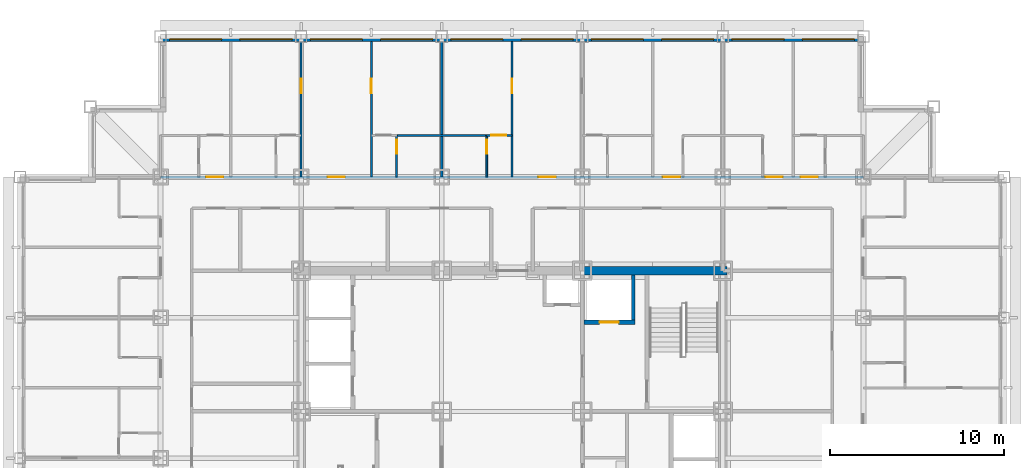
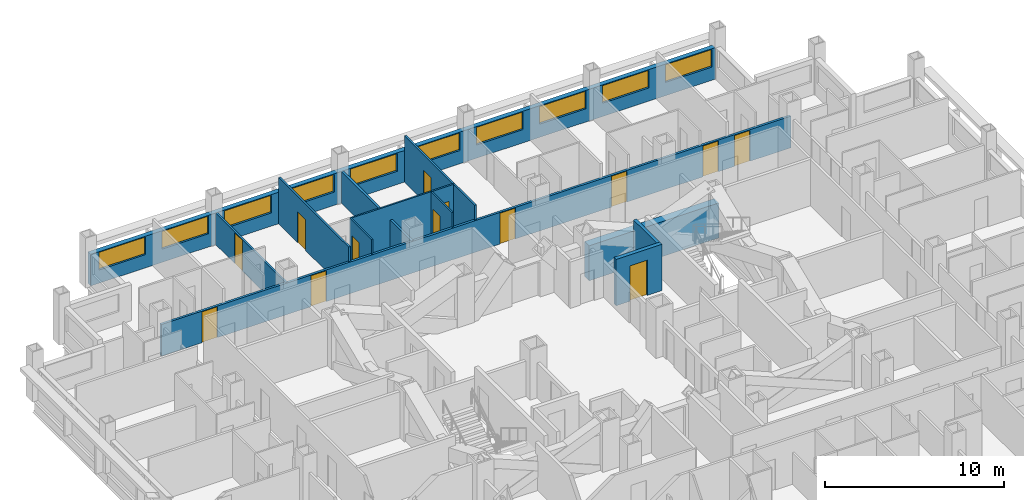
# One storey, part 11 of 15: 13 doors, 13 walls, 10 windows, 23 openings.
"""IFC4 building model written with IfcOpenShell, lengths in metres."""

import ifcopenshell
import ifcopenshell.guid

model = None  # the IFC model being written
_history = None  # IfcOwnerHistory: only IFC2X3 demands one
_inside = {}  # id of a spatial element -> (the spatial element, [elements in it])
_under = {}  # id of a project, library or spatial element -> (it, [spatial elements below it])
_declared = {}  # id of a project -> (the project, [libraries it declares])
_typed = {}  # id of a type object -> (the type object, [elements of that type])
_made_of = {}  # id of a material, layer set ... -> (it, [elements and type objects made of it])


def new_model(schema):
    """Start an empty IFC model of exactly this schema.

    Asked for "IFC4X3", IfcOpenShell would pick the latest addendum, in which some entities
    have other attributes; the version numbers below select the first issue.
    IFC2X3 requires an IfcOwnerHistory on every rooted entity: one is made here for all.
    """
    global model, _history
    if schema == "IFC4X3":
        model = ifcopenshell.file(schema_version=(4, 3, 0, 0))
    else:
        model = ifcopenshell.file(schema=schema)
    _inside.clear()
    _under.clear()
    _declared.clear()
    _typed.clear()
    _made_of.clear()
    _history = None
    if model.schema == "IFC2X3":
        org = make("IfcOrganization", Name="unknown")
        user = make(
            "IfcPersonAndOrganization",
            ThePerson=make("IfcPerson", FamilyName="unknown"),
            TheOrganization=org,
        )
        app = make(
            "IfcApplication",
            ApplicationDeveloper=org,
            Version="unknown",
            ApplicationFullName="unknown",
            ApplicationIdentifier="unknown",
        )
        _history = make(
            "IfcOwnerHistory",
            OwningUser=user,
            OwningApplication=app,
            ChangeAction="ADDED",
            CreationDate=0,
        )
    return model


def make(cls, **values):
    """One entity of the class cls with the attributes given. An attribute that is None is left unset."""
    return model.create_entity(
        cls, **{name: value for name, value in values.items() if value is not None}
    )


def rooted(cls, **values):
    """An entity with a GlobalId (a new one), such as an element, a storey or a relation."""
    return make(cls, GlobalId=ifcopenshell.guid.new(), OwnerHistory=_history, **values)


def si_unit(unit_type, name, prefix=None):
    """IfcSIUnit, for example si_unit("LENGTHUNIT", "METRE", prefix="MILLI")."""
    return make("IfcSIUnit", UnitType=unit_type, Prefix=prefix, Name=name)


def assignment(units):
    """IfcUnitAssignment: the units of a project."""
    return None if units is None else make("IfcUnitAssignment", Units=units)


def point(xyz):
    """IfcCartesianPoint."""
    return None if xyz is None else make("IfcCartesianPoint", Coordinates=xyz)


def direction(xyz):
    """IfcDirection."""
    return None if xyz is None else make("IfcDirection", DirectionRatios=xyz)


def frame(location, z_axis=None, x_axis=None):
    """IfcAxis2Placement3D, a coordinate frame: its origin and axes. An axis left out is left unset."""
    return make(
        "IfcAxis2Placement3D",
        Location=point(location),
        Axis=direction(z_axis),
        RefDirection=direction(x_axis),
    )


def frame_2d(location, x_axis=None):
    """IfcAxis2Placement2D, a coordinate frame in the plane: its origin and x axis."""
    return make(
        "IfcAxis2Placement2D", Location=point(location), RefDirection=direction(x_axis)
    )


def origin():
    """The frame at (0, 0, 0) with its axes left unset."""
    return frame((0.0, 0.0, 0.0))


def place(relative_to, where):
    """IfcLocalPlacement: puts the frame where relative to a parent placement (None: the world)."""
    return make(
        "IfcLocalPlacement", PlacementRelTo=relative_to, RelativePlacement=where
    )


def context(
    kind, dimensions, precision=None, world=None, true_north=None, identifier=None
):
    """IfcGeometricRepresentationContext, for example the 3D "Model" context."""
    return make(
        "IfcGeometricRepresentationContext",
        ContextIdentifier=identifier,
        ContextType=kind,
        CoordinateSpaceDimension=dimensions,
        Precision=precision,
        WorldCoordinateSystem=world,
        TrueNorth=true_north,
    )


def subcontext(parent, identifier, kind, view, scale=None):
    """IfcGeometricRepresentationSubContext, for example "Body" below "Model"."""
    return make(
        "IfcGeometricRepresentationSubContext",
        ContextIdentifier=identifier,
        ContextType=kind,
        ParentContext=parent,
        TargetScale=scale,
        TargetView=view,
    )


def project(units=None, contexts=None):
    """IfcProject with its units and contexts."""
    return rooted(
        "IfcProject",
        Name="project",
        RepresentationContexts=contexts,
        UnitsInContext=assignment(units),
    )


def spatial(cls, under=None, at=None, **own):
    """A site, building, storey or space (cls), placed at a placement, below another one or the project."""
    s = rooted(cls, ObjectPlacement=at, **own)
    if under is not None:
        _under.setdefault(under.id(), (under, []))[1].append(s)
    return s


def profile(cls, at=None, kind="AREA", **sizes):
    """A parametric profile (cls). Its sizes go by their IFC names, for example OverallWidth=200.0."""
    return make(cls, ProfileType=kind, Position=at, **sizes)


def rectangle(**sizes):
    """IfcRectangleProfileDef."""
    return profile("IfcRectangleProfileDef", **sizes)


def extrude(swept, where, along, depth):
    """IfcExtrudedAreaSolid: the profile swept, set in the frame where, extruded along a direction by depth."""
    return make(
        "IfcExtrudedAreaSolid",
        SweptArea=swept,
        Position=where,
        ExtrudedDirection=direction(along),
        Depth=depth,
    )


def shape(context_of_items, identifier, shape_type, items):
    """IfcShapeRepresentation: the items that make up one representation, for example the "Body"."""
    return make(
        "IfcShapeRepresentation",
        ContextOfItems=context_of_items,
        RepresentationIdentifier=identifier,
        RepresentationType=shape_type,
        Items=items,
    )


def material(Name=None, Category=None):
    """IfcMaterial."""
    return make("IfcMaterial", Name=Name, Category=Category)


def layer(
    of_material, thickness, ventilated=None, Name=None, Category=None, Priority=None
):
    """IfcMaterialLayer: one layer of a wall or slab, of a material (None: an air gap)."""
    return make(
        "IfcMaterialLayer",
        Material=of_material,
        LayerThickness=thickness,
        IsVentilated=ventilated,
        Name=Name,
        Category=Category,
        Priority=Priority,
    )


def layer_set(layers, Name=None):
    """IfcMaterialLayerSet."""
    return make("IfcMaterialLayerSet", MaterialLayers=layers, LayerSetName=Name)


def made_of(thing, what):
    """Note that an element or type object is made of a material, layer set ...; save() writes the relation."""
    if what is not None:
        _made_of.setdefault(what.id(), (what, []))[1].append(thing)
    return thing


def type_object(cls, material=None, **own):
    """A type object (cls), such as IfcWallType, which elements share."""
    return made_of(rooted(cls, **own), material)


def element(
    cls,
    number,
    at=None,
    inside=None,
    cuts=None,
    type_object=None,
    material=None,
    context=None,
    identifier="Body",
    shape_type=None,
    held_by="IfcProductDefinitionShape",
    body=None,
    shapes=None,
    **own,
):
    """One element of the class cls, such as IfcWall. Its Tag is "e" and its number.

    at: its placement. inside: the storey or other place that contains it. cuts: it is an
    opening in that element (IfcRelVoidsElement). A single representation is given by context,
    identifier, shape_type and body (its items); several are given by shapes. held_by: the class
    of the entity that holds the representations. save() writes the other relations.
    """
    e = rooted(cls, Tag="e%d" % number, ObjectPlacement=at, **own)
    if body is not None:
        shapes = [shape(context, identifier, shape_type, body)]
    if shapes is not None:
        e.Representation = make(held_by, Representations=shapes)
    if inside is not None:
        _inside.setdefault(inside.id(), (inside, []))[1].append(e)
    if cuts is not None:
        rooted(
            "IfcRelVoidsElement", RelatingBuildingElement=cuts, RelatedOpeningElement=e
        )
    if type_object is not None:
        _typed.setdefault(type_object.id(), (type_object, []))[1].append(e)
    return made_of(e, material)


def fill(opening, filler):
    """IfcRelFillsElement: the door or window that sits in an opening."""
    return rooted(
        "IfcRelFillsElement",
        RelatingOpeningElement=opening,
        RelatedBuildingElement=filler,
    )


def aggregate(whole, parts):
    """IfcRelAggregates: a whole, such as a stair, and the parts it consists of."""
    return rooted("IfcRelAggregates", RelatingObject=whole, RelatedObjects=parts)


def save(model, path):
    """Write the relations noted so far, then the file.

    IfcRelAggregates (storeys below a building ...), IfcRelContainedInSpatialStructure (elements
    in a storey), IfcRelDefinesByType, IfcRelAssociatesMaterial and IfcRelDeclares: one each for
    every whole, place, type object, material and project.
    """
    for whole, parts in _under.values():
        aggregate(whole, parts)
    for where, things in _inside.values():
        rooted(
            "IfcRelContainedInSpatialStructure",
            RelatedElements=things,
            RelatingStructure=where,
        )
    for kind, things in _typed.values():
        rooted("IfcRelDefinesByType", RelatedObjects=things, RelatingType=kind)
    for what, things in _made_of.values():
        rooted("IfcRelAssociatesMaterial", RelatedObjects=things, RelatingMaterial=what)
    for by, libraries in _declared.values():
        rooted("IfcRelDeclares", RelatingContext=by, RelatedDefinitions=libraries)
    model.write(path)


model = new_model("IFC4")

# Units and contexts
model_context = context("Model", 3, precision=1e-05, world=origin(), true_north=direction((0.0, 1.0)))
body_context = subcontext(model_context, "Body", "Model", "MODEL_VIEW")
ifc_project = project(units=[si_unit("LENGTHUNIT", "METRE"), si_unit("AREAUNIT", "SQUARE_METRE"), si_unit("VOLUMEUNIT", "CUBIC_METRE"), si_unit("PLANEANGLEUNIT", "RADIAN"), si_unit("MASSUNIT", "GRAM", prefix="KILO")], contexts=[model_context])

# Site, building, storey
site_placement = place(None, origin())
site = spatial("IfcSite", under=ifc_project, at=site_placement, CompositionType="ELEMENT")
building_placement = place(site_placement, origin())
building = spatial("IfcBuilding", under=site, at=building_placement, Name="Kopane Lantern Tower", CompositionType="ELEMENT")
storey_placement = place(building_placement, frame((0.0, 0.0, 154.39990234375)))
storey = spatial("IfcBuildingStorey", under=building, at=storey_placement, Name="L40", CompositionType="ELEMENT", Elevation=154.39990234375)

# Wall, opening, door
ifc_material_1 = material(Name="Gypsum board on steel studs", Category="steel")
ifc_layer_1 = layer(ifc_material_1, 0.1201171875)
ifc_layer_set_1 = layer_set([ifc_layer_1], Name="APARTMENT INTERNAL WALL 120")
wall_type_1 = type_object("IfcWallType", Name="APARTMENT INTERNAL WALL 120", PredefinedType="PARTITIONING", material=ifc_layer_set_1)
wall_1_placement = place(storey_placement, frame((16.199951171875, 45.89990234375, 0.0), z_axis=(0.0, 0.0, 1.0), x_axis=(0.0, 1.0, 0.0)))
wall_1 = element("IfcWall", 1, at=wall_1_placement, inside=storey, type_object=wall_type_1, Name="Apartment Internal Wall 120 L40", PredefinedType="PARTITIONING", context=body_context, shape_type="SweptSolid", body=[
    extrude(rectangle(XDim=7.800048828125, YDim=0.1201171875, at=frame_2d((3.89990234375, 0.0))), origin(), (0.0, 0.0, 1.0), 2.150146484375),
])
opening_1_placement = place(wall_1_placement, frame((4.824951171875, 0.0, 0.0)))
opening_1 = element("IfcOpeningElement", 2, at=opening_1_placement, cuts=wall_1, Name="Opening L40-039", PredefinedType="OPENING", context=body_context, shape_type="SweptSolid", body=[
    extrude(rectangle(XDim=0.85009765625, YDim=2.10009765625, at=frame_2d((0.425048828125, 1.050048828125))), frame((0.0, 0.070068359375, 0.0), z_axis=(0.0, -1.0, 0.0), x_axis=(1.0, 0.0, 0.0)), (0.0, 0.0, 1.0), 0.14013671875),
])
ifc_material_2 = material(Name="Timber door set", Category="wood")
door_type_1 = type_object("IfcDoorType", Name="DOOR D4 850x2100", OperationType="SINGLE_SWING_LEFT", PredefinedType="DOOR", material=ifc_material_2)
door_1_placement = place(opening_1_placement, origin())
door_1 = element("IfcDoor", 3, at=door_1_placement, inside=storey, type_object=door_type_1, Name="Door L40-039", OperationType="SINGLE_SWING_LEFT", OverallHeight=2.10009765625, OverallWidth=0.85009765625, PredefinedType="DOOR", context=body_context, shape_type="SweptSolid", body=[
    extrude(rectangle(XDim=0.85009765625, YDim=2.10009765625, at=frame_2d((0.425048828125, 1.050048828125))), frame((0.0, 0.02490234375, 0.0), z_axis=(0.0, -1.0, 0.0), x_axis=(1.0, 0.0, 0.0)), (0.0, 0.0, 1.0), 0.050048828125),
])
fill(opening_1, door_1)

wall_2_placement = place(storey_placement, frame((20.25, 45.89990234375, 0.0), z_axis=(0.0, 0.0, 1.0), x_axis=(0.0, 1.0, 0.0)))
wall_2 = element("IfcWall", 4, at=wall_2_placement, inside=storey, type_object=wall_type_1, Name="Apartment Internal Wall 120 L40", PredefinedType="PARTITIONING", context=body_context, shape_type="SweptSolid", body=[
    extrude(rectangle(XDim=7.800048828125, YDim=0.1201171875, at=frame_2d((3.89990234375, 0.0))), origin(), (0.0, 0.0, 1.0), 3.150146484375),
])
opening_2_placement = place(wall_2_placement, frame((4.824951171875, 0.0, 0.0)))
opening_2 = element("IfcOpeningElement", 5, at=opening_2_placement, cuts=wall_2, Name="Opening L40-041", PredefinedType="OPENING", context=body_context, shape_type="SweptSolid", body=[
    extrude(rectangle(XDim=0.85009765625, YDim=2.10009765625, at=frame_2d((0.425048828125, 1.050048828125))), frame((0.0, 0.070068359375, 0.0), z_axis=(0.0, -1.0, 0.0), x_axis=(1.0, 0.0, 0.0)), (0.0, 0.0, 1.0), 0.14013671875),
])
door_2_placement = place(opening_2_placement, origin())
door_2 = element("IfcDoor", 6, at=door_2_placement, inside=storey, type_object=door_type_1, Name="Door L40-041", OperationType="SINGLE_SWING_RIGHT", OverallHeight=2.10009765625, OverallWidth=0.85009765625, PredefinedType="DOOR", context=body_context, shape_type="SweptSolid", body=[
    extrude(rectangle(XDim=0.85009765625, YDim=2.10009765625, at=frame_2d((0.425048828125, 1.050048828125))), frame((0.0, 0.02490234375, 0.0), z_axis=(0.0, -1.0, 0.0), x_axis=(1.0, 0.0, 0.0)), (0.0, 0.0, 1.0), 0.050048828125),
])
fill(opening_2, door_2)

wall_3_placement = place(storey_placement, frame((28.35009765625, 45.89990234375, 0.0), z_axis=(0.0, 0.0, 1.0), x_axis=(0.0, 1.0, 0.0)))
wall_3 = element("IfcWall", 7, at=wall_3_placement, inside=storey, type_object=wall_type_1, Name="Apartment Internal Wall 120 L40", PredefinedType="PARTITIONING", context=body_context, shape_type="SweptSolid", body=[
    extrude(rectangle(XDim=7.800048828125, YDim=0.1201171875, at=frame_2d((3.89990234375, 0.0))), origin(), (0.0, 0.0, 1.0), 3.150146484375),
])
opening_3_placement = place(wall_3_placement, frame((4.824951171875, 0.0, 0.0)))
opening_3 = element("IfcOpeningElement", 8, at=opening_3_placement, cuts=wall_3, Name="Opening L40-044", PredefinedType="OPENING", context=body_context, shape_type="SweptSolid", body=[
    extrude(rectangle(XDim=0.85009765625, YDim=2.10009765625, at=frame_2d((0.425048828125, 1.050048828125))), frame((0.0, 0.070068359375, 0.0), z_axis=(0.0, -1.0, 0.0), x_axis=(1.0, 0.0, 0.0)), (0.0, 0.0, 1.0), 0.14013671875),
])
door_3_placement = place(opening_3_placement, origin())
door_3 = element("IfcDoor", 9, at=door_3_placement, inside=storey, type_object=door_type_1, Name="Door L40-044", OperationType="SINGLE_SWING_LEFT", OverallHeight=2.10009765625, OverallWidth=0.85009765625, PredefinedType="DOOR", context=body_context, shape_type="SweptSolid", body=[
    extrude(rectangle(XDim=0.85009765625, YDim=2.10009765625, at=frame_2d((0.425048828125, 1.050048828125))), frame((0.0, 0.02490234375, 0.0), z_axis=(0.0, -1.0, 0.0), x_axis=(1.0, 0.0, 0.0)), (0.0, 0.0, 1.0), 0.050048828125),
])
fill(opening_3, door_3)

wall_4_placement = place(storey_placement, frame((26.889892578125, 48.300048828125, 0.0), z_axis=(0.0, 0.0, 1.0), x_axis=(1.0, 0.0, 0.0)))
wall_4 = element("IfcWall", 10, at=wall_4_placement, inside=storey, type_object=wall_type_1, Name="Apartment Internal Wall 120 L40", PredefinedType="PARTITIONING", context=body_context, shape_type="SweptSolid", body=[
    extrude(rectangle(XDim=1.460205078125, YDim=0.1201171875, at=frame_2d((0.72998046875, 0.0))), origin(), (0.0, 0.0, 1.0), 3.150146484375),
])
opening_4_placement = place(wall_4_placement, frame((0.27490234375, 0.0, 0.0)))
opening_4 = element("IfcOpeningElement", 11, at=opening_4_placement, cuts=wall_4, Name="Opening L40-097", PredefinedType="OPENING", context=body_context, shape_type="SweptSolid", body=[
    extrude(rectangle(XDim=0.85009765625, YDim=2.10009765625, at=frame_2d((0.425048828125, 1.050048828125))), frame((0.0, 0.070068359375, 0.0), z_axis=(0.0, -1.0, 0.0), x_axis=(1.0, 0.0, 0.0)), (0.0, 0.0, 1.0), 0.14013671875),
])
door_4_placement = place(opening_4_placement, origin())
door_4 = element("IfcDoor", 12, at=door_4_placement, inside=storey, type_object=door_type_1, Name="Door L40-097", OperationType="SINGLE_SWING_RIGHT", OverallHeight=2.10009765625, OverallWidth=0.85009765625, PredefinedType="DOOR", context=body_context, shape_type="SweptSolid", body=[
    extrude(rectangle(XDim=0.85009765625, YDim=2.10009765625, at=frame_2d((0.425048828125, 1.050048828125))), frame((0.0, 0.02490234375, 0.0), z_axis=(0.0, -1.0, 0.0), x_axis=(1.0, 0.0, 0.0)), (0.0, 0.0, 1.0), 0.050048828125),
])
fill(opening_4, door_4)

# Wall
ifc_material_3 = material(Name="Moisture-resistant board on steel studs", Category="steel")
ifc_layer_2 = layer(ifc_material_3, 0.10009765625)
ifc_layer_set_2 = layer_set([ifc_layer_2], Name="BATHROOM WALL 100")
wall_type_2 = type_object("IfcWallType", Name="BATHROOM WALL 100", PredefinedType="PARTITIONING", material=ifc_layer_set_2)
wall_5_placement = place(storey_placement, frame((21.699951171875, 48.300048828125, 0.0), z_axis=(0.0, 0.0, 1.0), x_axis=(1.0, 0.0, 0.0)))
element("IfcWall", 13, at=wall_5_placement, inside=storey, type_object=wall_type_2, Name="Bathroom Wall 100 L40", PredefinedType="PARTITIONING", context=body_context, shape_type="SweptSolid", body=[
    extrude(rectangle(XDim=5.199951171875, YDim=0.10009765625, at=frame_2d((2.60009765625, 0.0))), origin(), (0.0, 0.0, 1.0), 3.150146484375),
])

# Wall, opening, door
wall_6_placement = place(storey_placement, frame((21.699951171875, 45.89990234375, 0.0), z_axis=(0.0, 0.0, 1.0), x_axis=(0.0, 1.0, 0.0)))
wall_6 = element("IfcWall", 14, at=wall_6_placement, inside=storey, type_object=wall_type_2, Name="Bathroom Wall 100 L40", PredefinedType="PARTITIONING", context=body_context, shape_type="SweptSolid", body=[
    extrude(rectangle(XDim=2.400146484375, YDim=0.10009765625, at=frame_2d((1.2001953125, 0.0))), origin(), (0.0, 0.0, 1.0), 3.150146484375),
])
opening_5_placement = place(wall_6_placement, frame((1.35009765625, 0.0, 0.0)))
opening_5 = element("IfcOpeningElement", 15, at=opening_5_placement, cuts=wall_6, Name="Opening L40-040", PredefinedType="OPENING", context=body_context, shape_type="SweptSolid", body=[
    extrude(rectangle(XDim=0.800048828125, YDim=2.10009765625, at=frame_2d((0.39990234375, 1.050048828125))), frame((0.0, 0.06005859375, 0.0), z_axis=(0.0, -1.0, 0.0), x_axis=(1.0, 0.0, 0.0)), (0.0, 0.0, 1.0), 0.1201171875),
])
ifc_material_4 = material(Name="Timber door set", Category="wood")
door_type_2 = type_object("IfcDoorType", Name="DOOR D2 800x2100", OperationType="SINGLE_SWING_LEFT", PredefinedType="DOOR", material=ifc_material_4)
door_5_placement = place(opening_5_placement, origin())
door_5 = element("IfcDoor", 16, at=door_5_placement, inside=storey, type_object=door_type_2, Name="Door L40-040", OperationType="SINGLE_SWING_RIGHT", OverallHeight=2.10009765625, OverallWidth=0.800048828125, PredefinedType="DOOR", context=body_context, shape_type="SweptSolid", body=[
    extrude(rectangle(XDim=0.800048828125, YDim=2.10009765625, at=frame_2d((0.39990234375, 1.050048828125))), frame((0.0, 0.02490234375, 0.0), z_axis=(0.0, -1.0, 0.0), x_axis=(1.0, 0.0, 0.0)), (0.0, 0.0, 1.0), 0.050048828125),
])
fill(opening_5, door_5)

wall_7_placement = place(storey_placement, frame((26.89990234375, 45.89990234375, 0.0), z_axis=(0.0, 0.0, 1.0), x_axis=(0.0, 1.0, 0.0)))
wall_7 = element("IfcWall", 17, at=wall_7_placement, inside=storey, type_object=wall_type_2, Name="Bathroom Wall 100 L40", PredefinedType="PARTITIONING", context=body_context, shape_type="SweptSolid", body=[
    extrude(rectangle(XDim=2.400146484375, YDim=0.10009765625, at=frame_2d((1.2001953125, 0.0))), origin(), (0.0, 0.0, 1.0), 3.150146484375),
])
opening_6_placement = place(wall_7_placement, frame((1.35009765625, 0.0, 0.0)))
opening_6 = element("IfcOpeningElement", 18, at=opening_6_placement, cuts=wall_7, Name="Opening L40-043", PredefinedType="OPENING", context=body_context, shape_type="SweptSolid", body=[
    extrude(rectangle(XDim=0.800048828125, YDim=2.10009765625, at=frame_2d((0.39990234375, 1.050048828125))), frame((0.0, 0.06005859375, 0.0), z_axis=(0.0, -1.0, 0.0), x_axis=(1.0, 0.0, 0.0)), (0.0, 0.0, 1.0), 0.1201171875),
])
door_6_placement = place(opening_6_placement, origin())
door_6 = element("IfcDoor", 19, at=door_6_placement, inside=storey, type_object=door_type_2, Name="Door L40-043", OperationType="SINGLE_SWING_LEFT", OverallHeight=2.10009765625, OverallWidth=0.800048828125, PredefinedType="DOOR", context=body_context, shape_type="SweptSolid", body=[
    extrude(rectangle(XDim=0.800048828125, YDim=2.10009765625, at=frame_2d((0.39990234375, 1.050048828125))), frame((0.0, 0.02490234375, 0.0), z_axis=(0.0, -1.0, 0.0), x_axis=(1.0, 0.0, 0.0)), (0.0, 0.0, 1.0), 0.050048828125),
])
fill(opening_6, door_6)

# Wall
ifc_material_5 = material(Name="Gypsum shaft wall EI 120", Category="gypsum")
ifc_layer_3 = layer(ifc_material_5, 0.5)
ifc_layer_set_3 = layer_set([ifc_layer_3], Name="CORE PERIMETER WALL 500 EI 120")
wall_type_3 = type_object("IfcWallType", Name="CORE PERIMETER WALL 500 EI 120", PredefinedType="SOLIDWALL", material=ifc_layer_set_3)
wall_8_placement = place(storey_placement, frame((32.39990234375, 40.5, 0.0), z_axis=(0.0, 0.0, 1.0), x_axis=(1.0, 0.0, 0.0)))
element("IfcWall", 20, at=wall_8_placement, inside=storey, type_object=wall_type_3, Name="Core shaft wall L40 PNE", PredefinedType="SOLIDWALL", context=body_context, shape_type="SweptSolid", body=[
    extrude(rectangle(XDim=8.35009765625, YDim=0.5, at=frame_2d((4.175048828125, 0.0))), origin(), (0.0, 0.0, 1.0), 2.38037109375),
])

# Wall, opening, door
ifc_material_6 = material(Name="Gypsum shaft wall EI 120", Category="gypsum")
ifc_layer_4 = layer(ifc_material_6, 0.25)
ifc_layer_set_4 = layer_set([ifc_layer_4], Name="CORE SHAFT WALL 250 EI 120")
wall_type_4 = type_object("IfcWallType", Name="CORE SHAFT WALL 250 EI 120", PredefinedType="SOLIDWALL", material=ifc_layer_set_4)
wall_9_placement = place(storey_placement, frame((32.5, 37.52490234375, 0.0), z_axis=(0.0, 0.0, 1.0), x_axis=(1.0, 0.0, 0.0)))
wall_9 = element("IfcWall", 21, at=wall_9_placement, inside=storey, type_object=wall_type_4, Name="Core shaft wall L40 YLF2", PredefinedType="SOLIDWALL", context=body_context, shape_type="SweptSolid", body=[
    extrude(rectangle(XDim=2.949951171875, YDim=0.25, at=frame_2d((1.47509765625, 0.0))), origin(), (0.0, 0.0, 1.0), 3.150146484375),
])
opening_7_placement = place(wall_9_placement, frame((0.89990234375, 0.0, 0.0)))
opening_7 = element("IfcOpeningElement", 22, at=opening_7_placement, cuts=wall_9, Name="Opening 40.LD-LF2", PredefinedType="OPENING", context=body_context, shape_type="SweptSolid", body=[
    extrude(rectangle(XDim=1.10009765625, YDim=2.39990234375, at=frame_2d((0.550048828125, 1.199951171875))), frame((0.0, 0.135009765625, 0.0), z_axis=(0.0, -1.0, 0.0), x_axis=(1.0, 0.0, 0.0)), (0.0, 0.0, 1.0), 0.27001953125),
])
ifc_material_7 = material(Name="Steel door set", Category="steel")
door_type_3 = type_object("IfcDoorType", Name="LIFT LANDING DOOR 1100x2400 FD60", OperationType="DOUBLE_DOOR_SLIDING", PredefinedType="DOOR", material=ifc_material_7)
door_7_placement = place(opening_7_placement, origin())
door_7 = element("IfcDoor", 23, at=door_7_placement, inside=storey, type_object=door_type_3, Name="Landing door LF2 L40", OperationType="DOUBLE_DOOR_SLIDING", OverallHeight=2.39990234375, OverallWidth=1.10009765625, PredefinedType="DOOR", context=body_context, shape_type="SweptSolid", body=[
    extrude(rectangle(XDim=1.10009765625, YDim=2.39990234375, at=frame_2d((0.550048828125, 1.199951171875))), frame((0.0, 0.02490234375, 0.0), z_axis=(0.0, -1.0, 0.0), x_axis=(1.0, 0.0, 0.0)), (0.0, 0.0, 1.0), 0.050048828125),
])
fill(opening_7, door_7)

# Wall, openings, doors
ifc_material_8 = material(Name="Gypsum board on steel studs", Category="steel")
ifc_layer_5 = layer(ifc_material_8, 0.14990234375)
ifc_layer_set_5 = layer_set([ifc_layer_5], Name="CORRIDOR WALL 150 EI 60")
wall_type_5 = type_object("IfcWallType", Name="CORRIDOR WALL 150 EI 60", PredefinedType="PARTITIONING", material=ifc_layer_set_5)
wall_10_placement = place(storey_placement, frame((8.10009765625, 45.89990234375, 0.0), z_axis=(0.0, 0.0, 1.0), x_axis=(1.0, 0.0, 0.0)))
wall_10 = element("IfcWall", 24, at=wall_10_placement, inside=storey, type_object=wall_type_5, Name="Corridor Wall 150 Ei 60 L40", PredefinedType="PARTITIONING", context=body_context, shape_type="SweptSolid", body=[
    extrude(rectangle(XDim=40.5, YDim=0.14990234375, at=frame_2d((20.25, 0.0))), origin(), (0.0, 0.0, 1.0), 2.150146484375),
])
opening_8_placement = place(wall_10_placement, frame((9.625, 0.0, 0.0)))
opening_8 = element("IfcOpeningElement", 25, at=opening_8_placement, cuts=wall_10, Name="Opening L40-037", PredefinedType="OPENING", context=body_context, shape_type="SweptSolid", body=[
    extrude(rectangle(XDim=1.0, YDim=2.10009765625, at=frame_2d((0.5, 1.050048828125))), frame((0.0, 0.0849609375, 0.0), z_axis=(0.0, -1.0, 0.0), x_axis=(1.0, 0.0, 0.0)), (0.0, 0.0, 1.0), 0.169921875),
])
opening_9_placement = place(wall_10_placement, frame((21.77490234375, 0.0, 0.0)))
opening_9 = element("IfcOpeningElement", 26, at=opening_9_placement, cuts=wall_10, Name="Opening L40-042", PredefinedType="OPENING", context=body_context, shape_type="SweptSolid", body=[
    extrude(rectangle(XDim=1.0, YDim=2.10009765625, at=frame_2d((0.5, 1.050048828125))), frame((0.0, 0.0849609375, 0.0), z_axis=(0.0, -1.0, 0.0), x_axis=(1.0, 0.0, 0.0)), (0.0, 0.0, 1.0), 0.169921875),
])
opening_10_placement = place(wall_10_placement, frame((28.949951171875, 0.0, 0.0)))
opening_10 = element("IfcOpeningElement", 27, at=opening_10_placement, cuts=wall_10, Name="Opening L40-048", PredefinedType="OPENING", context=body_context, shape_type="SweptSolid", body=[
    extrude(rectangle(XDim=1.0, YDim=2.10009765625, at=frame_2d((0.5, 1.050048828125))), frame((0.0, 0.0849609375, 0.0), z_axis=(0.0, -1.0, 0.0), x_axis=(1.0, 0.0, 0.0)), (0.0, 0.0, 1.0), 0.169921875),
])
opening_11_placement = place(wall_10_placement, frame((34.85009765625, 0.0, 0.0)))
opening_11 = element("IfcOpeningElement", 28, at=opening_11_placement, cuts=wall_10, Name="Opening L40-050", PredefinedType="OPENING", context=body_context, shape_type="SweptSolid", body=[
    extrude(rectangle(XDim=1.0, YDim=2.10009765625, at=frame_2d((0.5, 1.050048828125))), frame((0.0, 0.0849609375, 0.0), z_axis=(0.0, -1.0, 0.0), x_axis=(1.0, 0.0, 0.0)), (0.0, 0.0, 1.0), 0.169921875),
])
opening_12_placement = place(wall_10_placement, frame((36.875, 0.0, 0.0)))
opening_12 = element("IfcOpeningElement", 29, at=opening_12_placement, cuts=wall_10, Name="Opening L40-087", PredefinedType="OPENING", context=body_context, shape_type="SweptSolid", body=[
    extrude(rectangle(XDim=1.0, YDim=2.10009765625, at=frame_2d((0.5, 1.050048828125))), frame((0.0, 0.0849609375, 0.0), z_axis=(0.0, -1.0, 0.0), x_axis=(1.0, 0.0, 0.0)), (0.0, 0.0, 1.0), 0.169921875),
])
opening_13_placement = place(wall_10_placement, frame((2.625, 0.0, 0.0)))
opening_13 = element("IfcOpeningElement", 30, at=opening_13_placement, cuts=wall_10, Name="Opening L40-090", PredefinedType="OPENING", context=body_context, shape_type="SweptSolid", body=[
    extrude(rectangle(XDim=1.0, YDim=2.10009765625, at=frame_2d((0.5, 1.050048828125))), frame((0.0, 0.0849609375, 0.0), z_axis=(0.0, -1.0, 0.0), x_axis=(1.0, 0.0, 0.0)), (0.0, 0.0, 1.0), 0.169921875),
])
ifc_material_9 = material(Name="Steel door set", Category="steel")
door_type_4 = type_object("IfcDoorType", Name="DOOR D1 1000x2100 FD30S", OperationType="SINGLE_SWING_LEFT", PredefinedType="DOOR", material=ifc_material_9)
door_8_placement = place(opening_8_placement, origin())
door_8 = element("IfcDoor", 31, at=door_8_placement, inside=storey, type_object=door_type_4, Name="Door L40-037", OperationType="SINGLE_SWING_RIGHT", OverallHeight=2.10009765625, OverallWidth=1.0, PredefinedType="DOOR", context=body_context, shape_type="SweptSolid", body=[
    extrude(rectangle(XDim=1.0, YDim=2.10009765625, at=frame_2d((0.5, 1.050048828125))), frame((0.0, 0.02490234375, 0.0), z_axis=(0.0, -1.0, 0.0), x_axis=(1.0, 0.0, 0.0)), (0.0, 0.0, 1.0), 0.050048828125),
])
fill(opening_8, door_8)
door_9_placement = place(opening_9_placement, origin())
door_9 = element("IfcDoor", 32, at=door_9_placement, inside=storey, type_object=door_type_4, Name="Door L40-042", OperationType="SINGLE_SWING_LEFT", OverallHeight=2.10009765625, OverallWidth=1.0, PredefinedType="DOOR", context=body_context, shape_type="SweptSolid", body=[
    extrude(rectangle(XDim=1.0, YDim=2.10009765625, at=frame_2d((0.5, 1.050048828125))), frame((0.0, 0.02490234375, 0.0), z_axis=(0.0, -1.0, 0.0), x_axis=(1.0, 0.0, 0.0)), (0.0, 0.0, 1.0), 0.050048828125),
])
fill(opening_9, door_9)
door_10_placement = place(opening_10_placement, origin())
door_10 = element("IfcDoor", 33, at=door_10_placement, inside=storey, type_object=door_type_4, Name="Door L40-048", OperationType="SINGLE_SWING_RIGHT", OverallHeight=2.10009765625, OverallWidth=1.0, PredefinedType="DOOR", context=body_context, shape_type="SweptSolid", body=[
    extrude(rectangle(XDim=1.0, YDim=2.10009765625, at=frame_2d((0.5, 1.050048828125))), frame((0.0, 0.02490234375, 0.0), z_axis=(0.0, -1.0, 0.0), x_axis=(1.0, 0.0, 0.0)), (0.0, 0.0, 1.0), 0.050048828125),
])
fill(opening_10, door_10)
door_11_placement = place(opening_11_placement, origin())
door_11 = element("IfcDoor", 34, at=door_11_placement, inside=storey, type_object=door_type_4, Name="Door L40-050", OperationType="SINGLE_SWING_LEFT", OverallHeight=2.10009765625, OverallWidth=1.0, PredefinedType="DOOR", context=body_context, shape_type="SweptSolid", body=[
    extrude(rectangle(XDim=1.0, YDim=2.10009765625, at=frame_2d((0.5, 1.050048828125))), frame((0.0, 0.02490234375, 0.0), z_axis=(0.0, -1.0, 0.0), x_axis=(1.0, 0.0, 0.0)), (0.0, 0.0, 1.0), 0.050048828125),
])
fill(opening_11, door_11)
door_12_placement = place(opening_12_placement, origin())
door_12 = element("IfcDoor", 35, at=door_12_placement, inside=storey, type_object=door_type_4, Name="Door L40-087", OperationType="SINGLE_SWING_RIGHT", OverallHeight=2.10009765625, OverallWidth=1.0, PredefinedType="DOOR", context=body_context, shape_type="SweptSolid", body=[
    extrude(rectangle(XDim=1.0, YDim=2.10009765625, at=frame_2d((0.5, 1.050048828125))), frame((0.0, 0.02490234375, 0.0), z_axis=(0.0, -1.0, 0.0), x_axis=(1.0, 0.0, 0.0)), (0.0, 0.0, 1.0), 0.050048828125),
])
fill(opening_12, door_12)
door_13_placement = place(opening_13_placement, origin())
door_13 = element("IfcDoor", 36, at=door_13_placement, inside=storey, type_object=door_type_4, Name="Door L40-090", OperationType="SINGLE_SWING_LEFT", OverallHeight=2.10009765625, OverallWidth=1.0, PredefinedType="DOOR", context=body_context, shape_type="SweptSolid", body=[
    extrude(rectangle(XDim=1.0, YDim=2.10009765625, at=frame_2d((0.5, 1.050048828125))), frame((0.0, 0.02490234375, 0.0), z_axis=(0.0, -1.0, 0.0), x_axis=(1.0, 0.0, 0.0)), (0.0, 0.0, 1.0), 0.050048828125),
])
fill(opening_13, door_13)

# Wall
ifc_material_10 = material(Name="Gypsum board on steel studs", Category="steel")
ifc_layer_6 = layer(ifc_material_10, 0.14990234375)
ifc_layer_set_6 = layer_set([ifc_layer_6], Name="DEMISING WALL 150 EI 60")
wall_type_6 = type_object("IfcWallType", Name="DEMISING WALL 150 EI 60", PredefinedType="PARTITIONING", material=ifc_layer_set_6)
wall_11_placement = place(storey_placement, frame((24.300048828125, 45.89990234375, 0.0), z_axis=(0.0, 0.0, 1.0), x_axis=(0.0, 1.0, 0.0)))
element("IfcWall", 37, at=wall_11_placement, inside=storey, type_object=wall_type_6, Name="Demising Wall 150 Ei 60 L40", PredefinedType="PARTITIONING", context=body_context, shape_type="SweptSolid", body=[
    extrude(rectangle(XDim=7.800048828125, YDim=0.14990234375, at=frame_2d((3.89990234375, 0.0))), origin(), (0.0, 0.0, 1.0), 2.150146484375),
])

# Wall, openings, windows
ifc_material_11 = material(Name="Terracotta rainscreen on light steel framing", Category="masonry")
ifc_layer_7 = layer(ifc_material_11, 0.300048828125)
ifc_layer_set_7 = layer_set([ifc_layer_7], Name="EXTERNAL WALL EW1 300 TERRACOTTA")
wall_type_7 = type_object("IfcWallType", Name="EXTERNAL WALL EW1 300 TERRACOTTA", PredefinedType="SOLIDWALL", material=ifc_layer_set_7)
wall_12_placement = place(storey_placement, frame((48.300048828125, 53.85009765625, 0.0), z_axis=(0.0, 0.0, 1.0), x_axis=(-1.0, 0.0, 0.0)))
wall_12 = element("IfcWall", 38, at=wall_12_placement, inside=storey, type_object=wall_type_7, Name="External wall N L40", PredefinedType="SOLIDWALL", context=body_context, shape_type="SweptSolid", body=[
    extrude(rectangle(XDim=40.199951171875, YDim=0.300048828125, at=frame_2d((20.10009765625, 0.0))), origin(), (0.0, 0.0, 1.0), 2.150146484375),
])
opening_14_placement = place(wall_12_placement, frame((0.22509765625, 0.0, 0.89990234375)))
opening_14 = element("IfcOpeningElement", 39, at=opening_14_placement, cuts=wall_12, Name="Opening WR300120", PredefinedType="OPENING", context=body_context, shape_type="SweptSolid", body=[
    extrude(rectangle(XDim=3.0, YDim=1.199951171875, at=frame_2d((1.5, 0.60009765625))), frame((0.0, 0.159912109375, 0.0), z_axis=(0.0, -1.0, 0.0), x_axis=(1.0, 0.0, 0.0)), (0.0, 0.0, 1.0), 0.320068359375),
])
opening_15_placement = place(wall_12_placement, frame((4.27490234375, 0.0, 0.89990234375)))
opening_15 = element("IfcOpeningElement", 40, at=opening_15_placement, cuts=wall_12, Name="Opening WR300120", PredefinedType="OPENING", context=body_context, shape_type="SweptSolid", body=[
    extrude(rectangle(XDim=3.0, YDim=1.199951171875, at=frame_2d((1.5, 0.60009765625))), frame((0.0, 0.159912109375, 0.0), z_axis=(0.0, -1.0, 0.0), x_axis=(1.0, 0.0, 0.0)), (0.0, 0.0, 1.0), 0.320068359375),
])
opening_16_placement = place(wall_12_placement, frame((8.324951171875, 0.0, 0.89990234375)))
opening_16 = element("IfcOpeningElement", 41, at=opening_16_placement, cuts=wall_12, Name="Opening WR300120", PredefinedType="OPENING", context=body_context, shape_type="SweptSolid", body=[
    extrude(rectangle(XDim=3.0, YDim=1.199951171875, at=frame_2d((1.5, 0.60009765625))), frame((0.0, 0.159912109375, 0.0), z_axis=(0.0, -1.0, 0.0), x_axis=(1.0, 0.0, 0.0)), (0.0, 0.0, 1.0), 0.320068359375),
])
opening_17_placement = place(wall_12_placement, frame((12.375, 0.0, 0.89990234375)))
opening_17 = element("IfcOpeningElement", 42, at=opening_17_placement, cuts=wall_12, Name="Opening WR300120", PredefinedType="OPENING", context=body_context, shape_type="SweptSolid", body=[
    extrude(rectangle(XDim=3.0, YDim=1.199951171875, at=frame_2d((1.5, 0.60009765625))), frame((0.0, 0.159912109375, 0.0), z_axis=(0.0, -1.0, 0.0), x_axis=(1.0, 0.0, 0.0)), (0.0, 0.0, 1.0), 0.320068359375),
])
opening_18_placement = place(wall_12_placement, frame((16.425048828125, 0.0, 0.89990234375)))
opening_18 = element("IfcOpeningElement", 43, at=opening_18_placement, cuts=wall_12, Name="Opening WR300120", PredefinedType="OPENING", context=body_context, shape_type="SweptSolid", body=[
    extrude(rectangle(XDim=3.0, YDim=1.199951171875, at=frame_2d((1.5, 0.60009765625))), frame((0.0, 0.159912109375, 0.0), z_axis=(0.0, -1.0, 0.0), x_axis=(1.0, 0.0, 0.0)), (0.0, 0.0, 1.0), 0.320068359375),
])
opening_19_placement = place(wall_12_placement, frame((20.47509765625, 0.0, 0.89990234375)))
opening_19 = element("IfcOpeningElement", 44, at=opening_19_placement, cuts=wall_12, Name="Opening WR300120", PredefinedType="OPENING", context=body_context, shape_type="SweptSolid", body=[
    extrude(rectangle(XDim=3.0, YDim=1.199951171875, at=frame_2d((1.5, 0.60009765625))), frame((0.0, 0.159912109375, 0.0), z_axis=(0.0, -1.0, 0.0), x_axis=(1.0, 0.0, 0.0)), (0.0, 0.0, 1.0), 0.320068359375),
])
opening_20_placement = place(wall_12_placement, frame((24.52490234375, 0.0, 0.89990234375)))
opening_20 = element("IfcOpeningElement", 45, at=opening_20_placement, cuts=wall_12, Name="Opening WR300120", PredefinedType="OPENING", context=body_context, shape_type="SweptSolid", body=[
    extrude(rectangle(XDim=3.0, YDim=1.199951171875, at=frame_2d((1.5, 0.60009765625))), frame((0.0, 0.159912109375, 0.0), z_axis=(0.0, -1.0, 0.0), x_axis=(1.0, 0.0, 0.0)), (0.0, 0.0, 1.0), 0.320068359375),
])
opening_21_placement = place(wall_12_placement, frame((28.574951171875, 0.0, 0.89990234375)))
opening_21 = element("IfcOpeningElement", 46, at=opening_21_placement, cuts=wall_12, Name="Opening WR300120", PredefinedType="OPENING", context=body_context, shape_type="SweptSolid", body=[
    extrude(rectangle(XDim=3.0, YDim=1.199951171875, at=frame_2d((1.5, 0.60009765625))), frame((0.0, 0.159912109375, 0.0), z_axis=(0.0, -1.0, 0.0), x_axis=(1.0, 0.0, 0.0)), (0.0, 0.0, 1.0), 0.320068359375),
])
opening_22_placement = place(wall_12_placement, frame((32.625, 0.0, 0.89990234375)))
opening_22 = element("IfcOpeningElement", 47, at=opening_22_placement, cuts=wall_12, Name="Opening WR300120", PredefinedType="OPENING", context=body_context, shape_type="SweptSolid", body=[
    extrude(rectangle(XDim=3.0, YDim=1.199951171875, at=frame_2d((1.5, 0.60009765625))), frame((0.0, 0.159912109375, 0.0), z_axis=(0.0, -1.0, 0.0), x_axis=(1.0, 0.0, 0.0)), (0.0, 0.0, 1.0), 0.320068359375),
])
opening_23_placement = place(wall_12_placement, frame((36.675048828125, 0.0, 0.89990234375)))
opening_23 = element("IfcOpeningElement", 48, at=opening_23_placement, cuts=wall_12, Name="Opening WR300120", PredefinedType="OPENING", context=body_context, shape_type="SweptSolid", body=[
    extrude(rectangle(XDim=3.0, YDim=1.199951171875, at=frame_2d((1.5, 0.60009765625))), frame((0.0, 0.159912109375, 0.0), z_axis=(0.0, -1.0, 0.0), x_axis=(1.0, 0.0, 0.0)), (0.0, 0.0, 1.0), 0.320068359375),
])
ifc_material_12 = material(Name="Aluminium and clear glass", Category="aluminium")
window_type = type_object("IfcWindowType", Name="RIBBON WINDOW WR300120 3000x1200", PartitioningType="SINGLE_PANEL", PredefinedType="WINDOW", material=ifc_material_12)
window_1_placement = place(opening_14_placement, origin())
window_1 = element("IfcWindow", 49, at=window_1_placement, inside=storey, type_object=window_type, Name="Window N L40", OverallHeight=1.199951171875, OverallWidth=3.0, PartitioningType="SINGLE_PANEL", PredefinedType="WINDOW", context=body_context, shape_type="SweptSolid", body=[
    extrude(rectangle(XDim=3.0, YDim=1.199951171875, at=frame_2d((1.5, 0.60009765625))), frame((0.0, 0.030029296875, 0.0), z_axis=(0.0, -1.0, 0.0), x_axis=(1.0, 0.0, 0.0)), (0.0, 0.0, 1.0), 0.06005859375),
])
fill(opening_14, window_1)
window_2_placement = place(opening_15_placement, origin())
window_2 = element("IfcWindow", 50, at=window_2_placement, inside=storey, type_object=window_type, Name="Window N L40", OverallHeight=1.199951171875, OverallWidth=3.0, PartitioningType="SINGLE_PANEL", PredefinedType="WINDOW", context=body_context, shape_type="SweptSolid", body=[
    extrude(rectangle(XDim=3.0, YDim=1.199951171875, at=frame_2d((1.5, 0.60009765625))), frame((0.0, 0.030029296875, 0.0), z_axis=(0.0, -1.0, 0.0), x_axis=(1.0, 0.0, 0.0)), (0.0, 0.0, 1.0), 0.06005859375),
])
fill(opening_15, window_2)
window_3_placement = place(opening_16_placement, origin())
window_3 = element("IfcWindow", 51, at=window_3_placement, inside=storey, type_object=window_type, Name="Window N L40", OverallHeight=1.199951171875, OverallWidth=3.0, PartitioningType="SINGLE_PANEL", PredefinedType="WINDOW", context=body_context, shape_type="SweptSolid", body=[
    extrude(rectangle(XDim=3.0, YDim=1.199951171875, at=frame_2d((1.5, 0.60009765625))), frame((0.0, 0.030029296875, 0.0), z_axis=(0.0, -1.0, 0.0), x_axis=(1.0, 0.0, 0.0)), (0.0, 0.0, 1.0), 0.06005859375),
])
fill(opening_16, window_3)
window_4_placement = place(opening_17_placement, origin())
window_4 = element("IfcWindow", 52, at=window_4_placement, inside=storey, type_object=window_type, Name="Window N L40", OverallHeight=1.199951171875, OverallWidth=3.0, PartitioningType="SINGLE_PANEL", PredefinedType="WINDOW", context=body_context, shape_type="SweptSolid", body=[
    extrude(rectangle(XDim=3.0, YDim=1.199951171875, at=frame_2d((1.5, 0.60009765625))), frame((0.0, 0.030029296875, 0.0), z_axis=(0.0, -1.0, 0.0), x_axis=(1.0, 0.0, 0.0)), (0.0, 0.0, 1.0), 0.06005859375),
])
fill(opening_17, window_4)
window_5_placement = place(opening_18_placement, origin())
window_5 = element("IfcWindow", 53, at=window_5_placement, inside=storey, type_object=window_type, Name="Window N L40", OverallHeight=1.199951171875, OverallWidth=3.0, PartitioningType="SINGLE_PANEL", PredefinedType="WINDOW", context=body_context, shape_type="SweptSolid", body=[
    extrude(rectangle(XDim=3.0, YDim=1.199951171875, at=frame_2d((1.5, 0.60009765625))), frame((0.0, 0.030029296875, 0.0), z_axis=(0.0, -1.0, 0.0), x_axis=(1.0, 0.0, 0.0)), (0.0, 0.0, 1.0), 0.06005859375),
])
fill(opening_18, window_5)
window_6_placement = place(opening_19_placement, origin())
window_6 = element("IfcWindow", 54, at=window_6_placement, inside=storey, type_object=window_type, Name="Window N L40", OverallHeight=1.199951171875, OverallWidth=3.0, PartitioningType="SINGLE_PANEL", PredefinedType="WINDOW", context=body_context, shape_type="SweptSolid", body=[
    extrude(rectangle(XDim=3.0, YDim=1.199951171875, at=frame_2d((1.5, 0.60009765625))), frame((0.0, 0.030029296875, 0.0), z_axis=(0.0, -1.0, 0.0), x_axis=(1.0, 0.0, 0.0)), (0.0, 0.0, 1.0), 0.06005859375),
])
fill(opening_19, window_6)
window_7_placement = place(opening_20_placement, origin())
window_7 = element("IfcWindow", 55, at=window_7_placement, inside=storey, type_object=window_type, Name="Window N L40", OverallHeight=1.199951171875, OverallWidth=3.0, PartitioningType="SINGLE_PANEL", PredefinedType="WINDOW", context=body_context, shape_type="SweptSolid", body=[
    extrude(rectangle(XDim=3.0, YDim=1.199951171875, at=frame_2d((1.5, 0.60009765625))), frame((0.0, 0.030029296875, 0.0), z_axis=(0.0, -1.0, 0.0), x_axis=(1.0, 0.0, 0.0)), (0.0, 0.0, 1.0), 0.06005859375),
])
fill(opening_20, window_7)
window_8_placement = place(opening_21_placement, origin())
window_8 = element("IfcWindow", 56, at=window_8_placement, inside=storey, type_object=window_type, Name="Window N L40", OverallHeight=1.199951171875, OverallWidth=3.0, PartitioningType="SINGLE_PANEL", PredefinedType="WINDOW", context=body_context, shape_type="SweptSolid", body=[
    extrude(rectangle(XDim=3.0, YDim=1.199951171875, at=frame_2d((1.5, 0.60009765625))), frame((0.0, 0.030029296875, 0.0), z_axis=(0.0, -1.0, 0.0), x_axis=(1.0, 0.0, 0.0)), (0.0, 0.0, 1.0), 0.06005859375),
])
fill(opening_21, window_8)
window_9_placement = place(opening_22_placement, origin())
window_9 = element("IfcWindow", 57, at=window_9_placement, inside=storey, type_object=window_type, Name="Window N L40", OverallHeight=1.199951171875, OverallWidth=3.0, PartitioningType="SINGLE_PANEL", PredefinedType="WINDOW", context=body_context, shape_type="SweptSolid", body=[
    extrude(rectangle(XDim=3.0, YDim=1.199951171875, at=frame_2d((1.5, 0.60009765625))), frame((0.0, 0.030029296875, 0.0), z_axis=(0.0, -1.0, 0.0), x_axis=(1.0, 0.0, 0.0)), (0.0, 0.0, 1.0), 0.06005859375),
])
fill(opening_22, window_9)
window_10_placement = place(opening_23_placement, origin())
window_10 = element("IfcWindow", 58, at=window_10_placement, inside=storey, type_object=window_type, Name="Window N L40", OverallHeight=1.199951171875, OverallWidth=3.0, PartitioningType="SINGLE_PANEL", PredefinedType="WINDOW", context=body_context, shape_type="SweptSolid", body=[
    extrude(rectangle(XDim=3.0, YDim=1.199951171875, at=frame_2d((1.5, 0.60009765625))), frame((0.0, 0.030029296875, 0.0), z_axis=(0.0, -1.0, 0.0), x_axis=(1.0, 0.0, 0.0)), (0.0, 0.0, 1.0), 0.06005859375),
])
fill(opening_23, window_10)

# Wall
ifc_material_13 = material(Name="Gypsum shaft wall EI 120", Category="gypsum")
ifc_layer_8 = layer(ifc_material_13, 0.199951171875)
ifc_layer_set_8 = layer_set([ifc_layer_8], Name="SHAFT WALL 200 EI 120")
wall_type_8 = type_object("IfcWallType", Name="SHAFT WALL 200 EI 120", PredefinedType="SOLIDWALL", material=ifc_layer_set_8)
wall_13_placement = place(storey_placement, frame((35.35009765625, 37.64990234375, 0.0), z_axis=(0.0, 0.0, 1.0), x_axis=(0.0, 1.0, 0.0)))
element("IfcWall", 59, at=wall_13_placement, inside=storey, type_object=wall_type_8, Name="Core shaft wall L40 XLF2", PredefinedType="SOLIDWALL", context=body_context, shape_type="SweptSolid", body=[
    extrude(rectangle(XDim=2.60009765625, YDim=0.199951171875, at=frame_2d((1.300048828125, 0.0))), origin(), (0.0, 0.0, 1.0), 3.150146484375),
])

save(model, "model.ifc")
